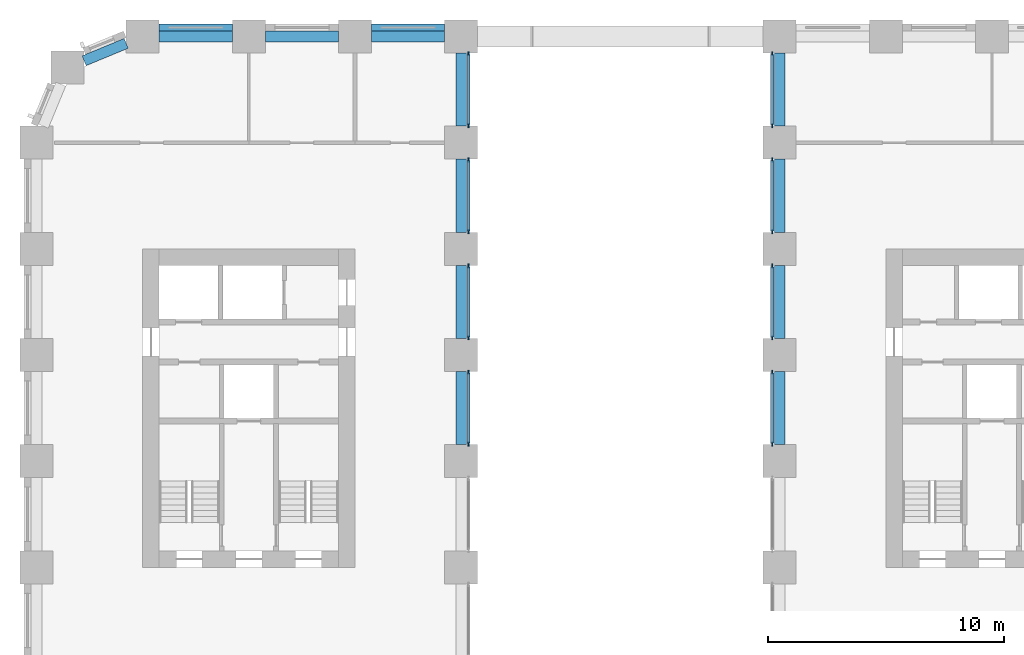
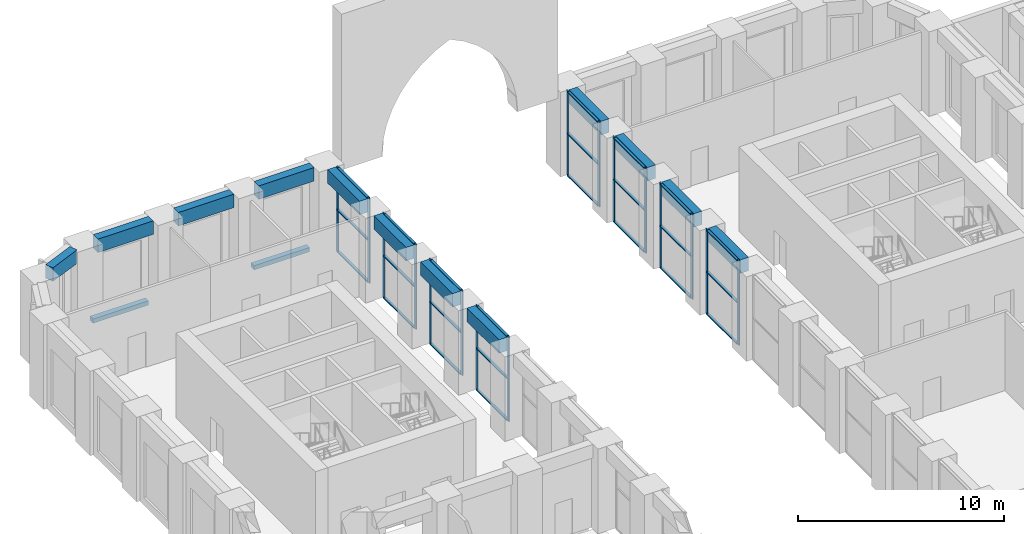
# One storey, part 5 of 25: 40 members, 14 beams, 8 elements without a shape of their own.
"""IFC4 building model written with IfcOpenShell, lengths in metres."""

from ifc_helpers import new_model, si_unit, direction, frame, origin, origin_2d, place, context, subcontext, project, spatial, rectangle, extrude, material, material_profile, profile_set, type_object, element, aggregate, save


model = new_model("IFC4")

# Units and contexts
model_context = context("Model", 3, precision=1e-05, world=origin(), true_north=direction((0.0, 1.0)))
body_context = subcontext(model_context, "Body", "Model", "MODEL_VIEW")
ifc_project = project(units=[si_unit("LENGTHUNIT", "METRE"), si_unit("AREAUNIT", "SQUARE_METRE"), si_unit("VOLUMEUNIT", "CUBIC_METRE"), si_unit("PLANEANGLEUNIT", "RADIAN"), si_unit("MASSUNIT", "GRAM", prefix="KILO")], contexts=[model_context])

# Site, building, storey
site_placement = place(None, origin())
site = spatial("IfcSite", under=ifc_project, at=site_placement, CompositionType="ELEMENT")
building_placement = place(site_placement, origin())
building = spatial("IfcBuilding", under=site, at=building_placement, Name="Girih Gate Residences", CompositionType="ELEMENT")
storey_placement = place(building_placement, frame((0.0, 0.0, 6.0)))
storey = spatial("IfcBuildingStorey", under=building, at=storey_placement, Name="L01", CompositionType="ELEMENT", Elevation=6.0)

# Curtain wall, members
ifc_material_1 = material(Name="Aluminium curtain wall frame", Category="aluminium")
curtain_wall_type = type_object("IfcCurtainWallType", Name="Curtain wall CW-2 podium amenity glazing", PredefinedType="NOTDEFINED", material=ifc_material_1)
curtain_wall_1_placement = place(storey_placement, origin())
curtain_wall_1 = element("IfcCurtainWall", 1, at=curtain_wall_1_placement, inside=storey, type_object=curtain_wall_type, Name="CW-2 Podium amenity glazing E0180_0000.7", PredefinedType="NOTDEFINED")
ifc_material_profile_1 = material_profile(ifc_material_1, rectangle(XDim=0.06005859375, YDim=0.179931640625, at=origin_2d()))
ifc_profile_set_1 = profile_set([ifc_material_profile_1], Name="Aluminium curtain wall frame")
member_type_1 = type_object("IfcMemberType", Name="Curtain wall mullion 60x180", PredefinedType="MULLION", material=ifc_profile_set_1)
member_1_placement = place(storey_placement, frame((18.31494140625, 32.22998046875, 0.0), z_axis=(0.0, 0.0, 1.0), x_axis=(-1.0, 0.0, 0.0)))
member_1 = element("IfcMember", 2, at=member_1_placement, type_object=member_type_1, Name="CW-2 mullion 1", PredefinedType="MULLION", context=body_context, shape_type="SweptSolid", body=[
    extrude(rectangle(XDim=0.06005859375, YDim=0.179931640625, at=origin_2d()), origin(), (0.0, 0.0, 1.0), 5.0),
])
member_2_placement = place(storey_placement, frame((18.31494140625, 35.27001953125, 0.0), z_axis=(0.0, 0.0, 1.0), x_axis=(-1.0, 0.0, 0.0)))
member_2 = element("IfcMember", 3, at=member_2_placement, type_object=member_type_1, Name="CW-2 mullion 2", PredefinedType="MULLION", context=body_context, shape_type="SweptSolid", body=[
    extrude(rectangle(XDim=0.06005859375, YDim=0.179931640625, at=origin_2d()), origin(), (0.0, 0.0, 1.0), 5.0),
])

curtain_wall_2_placement = place(storey_placement, origin())
curtain_wall_2 = element("IfcCurtainWall", 4, at=curtain_wall_2_placement, inside=storey, type_object=curtain_wall_type, Name="CW-2 Podium amenity glazing E0180_0000.8", PredefinedType="NOTDEFINED")
member_3_placement = place(storey_placement, frame((18.31494140625, 36.72998046875, 0.0), z_axis=(0.0, 0.0, 1.0), x_axis=(-1.0, 0.0, 0.0)))
member_3 = element("IfcMember", 5, at=member_3_placement, type_object=member_type_1, Name="CW-2 mullion 1", PredefinedType="MULLION", context=body_context, shape_type="SweptSolid", body=[
    extrude(rectangle(XDim=0.06005859375, YDim=0.179931640625, at=origin_2d()), origin(), (0.0, 0.0, 1.0), 5.0),
])
member_4_placement = place(storey_placement, frame((18.31494140625, 39.77001953125, 0.0), z_axis=(0.0, 0.0, 1.0), x_axis=(-1.0, 0.0, 0.0)))
member_4 = element("IfcMember", 6, at=member_4_placement, type_object=member_type_1, Name="CW-2 mullion 2", PredefinedType="MULLION", context=body_context, shape_type="SweptSolid", body=[
    extrude(rectangle(XDim=0.06005859375, YDim=0.179931640625, at=origin_2d()), origin(), (0.0, 0.0, 1.0), 5.0),
])

curtain_wall_3_placement = place(storey_placement, origin())
curtain_wall_3 = element("IfcCurtainWall", 7, at=curtain_wall_3_placement, inside=storey, type_object=curtain_wall_type, Name="CW-2 Podium amenity glazing E0180_0000.9", PredefinedType="NOTDEFINED")
member_5_placement = place(storey_placement, frame((18.31494140625, 41.22998046875, 0.0), z_axis=(0.0, 0.0, 1.0), x_axis=(-1.0, 0.0, 0.0)))
member_5 = element("IfcMember", 8, at=member_5_placement, type_object=member_type_1, Name="CW-2 mullion 1", PredefinedType="MULLION", context=body_context, shape_type="SweptSolid", body=[
    extrude(rectangle(XDim=0.06005859375, YDim=0.179931640625, at=origin_2d()), origin(), (0.0, 0.0, 1.0), 5.0),
])
member_6_placement = place(storey_placement, frame((18.31494140625, 44.27001953125, 0.0), z_axis=(0.0, 0.0, 1.0), x_axis=(-1.0, 0.0, 0.0)))
member_6 = element("IfcMember", 9, at=member_6_placement, type_object=member_type_1, Name="CW-2 mullion 2", PredefinedType="MULLION", context=body_context, shape_type="SweptSolid", body=[
    extrude(rectangle(XDim=0.06005859375, YDim=0.179931640625, at=origin_2d()), origin(), (0.0, 0.0, 1.0), 5.0),
])

curtain_wall_4_placement = place(storey_placement, origin())
curtain_wall_4 = element("IfcCurtainWall", 10, at=curtain_wall_4_placement, inside=storey, type_object=curtain_wall_type, Name="CW-2 Podium amenity glazing E0180_0000.10", PredefinedType="NOTDEFINED")
member_7_placement = place(storey_placement, frame((18.31494140625, 45.72998046875, 0.0), z_axis=(0.0, 0.0, 1.0), x_axis=(-1.0, 0.0, 0.0)))
member_7 = element("IfcMember", 11, at=member_7_placement, type_object=member_type_1, Name="CW-2 mullion 1", PredefinedType="MULLION", context=body_context, shape_type="SweptSolid", body=[
    extrude(rectangle(XDim=0.06005859375, YDim=0.179931640625, at=origin_2d()), origin(), (0.0, 0.0, 1.0), 5.0),
])
member_8_placement = place(storey_placement, frame((18.31494140625, 48.77001953125, 0.0), z_axis=(0.0, 0.0, 1.0), x_axis=(-1.0, 0.0, 0.0)))
member_8 = element("IfcMember", 12, at=member_8_placement, type_object=member_type_1, Name="CW-2 mullion 2", PredefinedType="MULLION", context=body_context, shape_type="SweptSolid", body=[
    extrude(rectangle(XDim=0.06005859375, YDim=0.179931640625, at=origin_2d()), origin(), (0.0, 0.0, 1.0), 5.0),
])

curtain_wall_5_placement = place(storey_placement, origin())
curtain_wall_5 = element("IfcCurtainWall", 13, at=curtain_wall_5_placement, inside=storey, type_object=curtain_wall_type, Name="CW-2 Podium amenity glazing W0315_0495.0", PredefinedType="NOTDEFINED")
member_9_placement = place(storey_placement, frame((31.18505859375, 48.77001953125, 0.0), z_axis=(0.0, 0.0, 1.0), x_axis=(1.0, 0.0, 0.0)))
member_9 = element("IfcMember", 14, at=member_9_placement, type_object=member_type_1, Name="CW-2 mullion 1", PredefinedType="MULLION", context=body_context, shape_type="SweptSolid", body=[
    extrude(rectangle(XDim=0.06005859375, YDim=0.179931640625, at=origin_2d()), origin(), (0.0, 0.0, 1.0), 5.0),
])
member_10_placement = place(storey_placement, frame((31.18505859375, 45.72998046875, 0.0), z_axis=(0.0, 0.0, 1.0), x_axis=(1.0, 0.0, 0.0)))
member_10 = element("IfcMember", 15, at=member_10_placement, type_object=member_type_1, Name="CW-2 mullion 2", PredefinedType="MULLION", context=body_context, shape_type="SweptSolid", body=[
    extrude(rectangle(XDim=0.06005859375, YDim=0.179931640625, at=origin_2d()), origin(), (0.0, 0.0, 1.0), 5.0),
])

curtain_wall_6_placement = place(storey_placement, origin())
curtain_wall_6 = element("IfcCurtainWall", 16, at=curtain_wall_6_placement, inside=storey, type_object=curtain_wall_type, Name="CW-2 Podium amenity glazing W0315_0495.1", PredefinedType="NOTDEFINED")
member_11_placement = place(storey_placement, frame((31.18505859375, 44.27001953125, 0.0), z_axis=(0.0, 0.0, 1.0), x_axis=(1.0, 0.0, 0.0)))
member_11 = element("IfcMember", 17, at=member_11_placement, type_object=member_type_1, Name="CW-2 mullion 1", PredefinedType="MULLION", context=body_context, shape_type="SweptSolid", body=[
    extrude(rectangle(XDim=0.06005859375, YDim=0.179931640625, at=origin_2d()), origin(), (0.0, 0.0, 1.0), 5.0),
])
member_12_placement = place(storey_placement, frame((31.18505859375, 41.22998046875, 0.0), z_axis=(0.0, 0.0, 1.0), x_axis=(1.0, 0.0, 0.0)))
member_12 = element("IfcMember", 18, at=member_12_placement, type_object=member_type_1, Name="CW-2 mullion 2", PredefinedType="MULLION", context=body_context, shape_type="SweptSolid", body=[
    extrude(rectangle(XDim=0.06005859375, YDim=0.179931640625, at=origin_2d()), origin(), (0.0, 0.0, 1.0), 5.0),
])

curtain_wall_7_placement = place(storey_placement, origin())
curtain_wall_7 = element("IfcCurtainWall", 19, at=curtain_wall_7_placement, inside=storey, type_object=curtain_wall_type, Name="CW-2 Podium amenity glazing W0315_0495.2", PredefinedType="NOTDEFINED")
member_13_placement = place(storey_placement, frame((31.18505859375, 39.77001953125, 0.0), z_axis=(0.0, 0.0, 1.0), x_axis=(1.0, 0.0, 0.0)))
member_13 = element("IfcMember", 20, at=member_13_placement, type_object=member_type_1, Name="CW-2 mullion 1", PredefinedType="MULLION", context=body_context, shape_type="SweptSolid", body=[
    extrude(rectangle(XDim=0.06005859375, YDim=0.179931640625, at=origin_2d()), origin(), (0.0, 0.0, 1.0), 5.0),
])
member_14_placement = place(storey_placement, frame((31.18505859375, 36.72998046875, 0.0), z_axis=(0.0, 0.0, 1.0), x_axis=(1.0, 0.0, 0.0)))
member_14 = element("IfcMember", 21, at=member_14_placement, type_object=member_type_1, Name="CW-2 mullion 2", PredefinedType="MULLION", context=body_context, shape_type="SweptSolid", body=[
    extrude(rectangle(XDim=0.06005859375, YDim=0.179931640625, at=origin_2d()), origin(), (0.0, 0.0, 1.0), 5.0),
])

curtain_wall_8_placement = place(storey_placement, origin())
curtain_wall_8 = element("IfcCurtainWall", 22, at=curtain_wall_8_placement, inside=storey, type_object=curtain_wall_type, Name="CW-2 Podium amenity glazing W0315_0495.3", PredefinedType="NOTDEFINED")
member_15_placement = place(storey_placement, frame((31.18505859375, 35.27001953125, 0.0), z_axis=(0.0, 0.0, 1.0), x_axis=(1.0, 0.0, 0.0)))
member_15 = element("IfcMember", 23, at=member_15_placement, type_object=member_type_1, Name="CW-2 mullion 1", PredefinedType="MULLION", context=body_context, shape_type="SweptSolid", body=[
    extrude(rectangle(XDim=0.06005859375, YDim=0.179931640625, at=origin_2d()), origin(), (0.0, 0.0, 1.0), 5.0),
])
member_16_placement = place(storey_placement, frame((31.18505859375, 32.22998046875, 0.0), z_axis=(0.0, 0.0, 1.0), x_axis=(1.0, 0.0, 0.0)))
member_16 = element("IfcMember", 24, at=member_16_placement, type_object=member_type_1, Name="CW-2 mullion 2", PredefinedType="MULLION", context=body_context, shape_type="SweptSolid", body=[
    extrude(rectangle(XDim=0.06005859375, YDim=0.179931640625, at=origin_2d()), origin(), (0.0, 0.0, 1.0), 5.0),
])

# Member
ifc_material_profile_2 = material_profile(ifc_material_1, rectangle(XDim=0.139892578125, YDim=0.06005859375, at=origin_2d()))
ifc_profile_set_2 = profile_set([ifc_material_profile_2], Name="Aluminium curtain wall frame")
member_type_2 = type_object("IfcMemberType", Name="Curtain wall transom 60x140", PredefinedType="USERDEFINED", material=ifc_profile_set_2)
member_17_placement = place(storey_placement, frame((18.31494140625, 32.260009765625, 0.030029296875), z_axis=(0.0, 1.0, 0.0), x_axis=(-1.0, 0.0, 0.0)))
member_17 = element("IfcMember", 25, at=member_17_placement, type_object=member_type_2, Name="CW-2 transom 1.1", ObjectType="TRANSOM", PredefinedType="USERDEFINED", context=body_context, shape_type="SweptSolid", body=[
    extrude(rectangle(XDim=0.139892578125, YDim=0.06005859375, at=origin_2d()), origin(), (0.0, 0.0, 1.0), 2.97998046875),
])

member_18_placement = place(storey_placement, frame((18.31494140625, 32.260009765625, 2.5), z_axis=(0.0, 1.0, 0.0), x_axis=(-1.0, 0.0, 0.0)))
member_18 = element("IfcMember", 26, at=member_18_placement, type_object=member_type_2, Name="CW-2 transom 1.2", ObjectType="TRANSOM", PredefinedType="USERDEFINED", context=body_context, shape_type="SweptSolid", body=[
    extrude(rectangle(XDim=0.139892578125, YDim=0.06005859375, at=origin_2d()), origin(), (0.0, 0.0, 1.0), 2.97998046875),
])

member_19_placement = place(storey_placement, frame((18.31494140625, 32.260009765625, 4.969970703125), z_axis=(0.0, 1.0, 0.0), x_axis=(-1.0, 0.0, 0.0)))
member_19 = element("IfcMember", 27, at=member_19_placement, type_object=member_type_2, Name="CW-2 transom 1.3", ObjectType="TRANSOM", PredefinedType="USERDEFINED", context=body_context, shape_type="SweptSolid", body=[
    extrude(rectangle(XDim=0.139892578125, YDim=0.06005859375, at=origin_2d()), origin(), (0.0, 0.0, 1.0), 2.97998046875),
])

aggregate(curtain_wall_1, [member_1, member_2, member_17, member_18, member_19])

member_20_placement = place(storey_placement, frame((18.31494140625, 36.760009765625, 0.030029296875), z_axis=(0.0, 1.0, 0.0), x_axis=(-1.0, 0.0, 0.0)))
member_20 = element("IfcMember", 28, at=member_20_placement, type_object=member_type_2, Name="CW-2 transom 1.1", ObjectType="TRANSOM", PredefinedType="USERDEFINED", context=body_context, shape_type="SweptSolid", body=[
    extrude(rectangle(XDim=0.139892578125, YDim=0.06005859375, at=origin_2d()), origin(), (0.0, 0.0, 1.0), 2.97998046875),
])

member_21_placement = place(storey_placement, frame((18.31494140625, 36.760009765625, 2.5), z_axis=(0.0, 1.0, 0.0), x_axis=(-1.0, 0.0, 0.0)))
member_21 = element("IfcMember", 29, at=member_21_placement, type_object=member_type_2, Name="CW-2 transom 1.2", ObjectType="TRANSOM", PredefinedType="USERDEFINED", context=body_context, shape_type="SweptSolid", body=[
    extrude(rectangle(XDim=0.139892578125, YDim=0.06005859375, at=origin_2d()), origin(), (0.0, 0.0, 1.0), 2.97998046875),
])

member_22_placement = place(storey_placement, frame((18.31494140625, 36.760009765625, 4.969970703125), z_axis=(0.0, 1.0, 0.0), x_axis=(-1.0, 0.0, 0.0)))
member_22 = element("IfcMember", 30, at=member_22_placement, type_object=member_type_2, Name="CW-2 transom 1.3", ObjectType="TRANSOM", PredefinedType="USERDEFINED", context=body_context, shape_type="SweptSolid", body=[
    extrude(rectangle(XDim=0.139892578125, YDim=0.06005859375, at=origin_2d()), origin(), (0.0, 0.0, 1.0), 2.97998046875),
])

aggregate(curtain_wall_2, [member_3, member_4, member_20, member_21, member_22])

member_23_placement = place(storey_placement, frame((18.31494140625, 41.260009765625, 0.030029296875), z_axis=(0.0, 1.0, 0.0), x_axis=(-1.0, 0.0, 0.0)))
member_23 = element("IfcMember", 31, at=member_23_placement, type_object=member_type_2, Name="CW-2 transom 1.1", ObjectType="TRANSOM", PredefinedType="USERDEFINED", context=body_context, shape_type="SweptSolid", body=[
    extrude(rectangle(XDim=0.139892578125, YDim=0.06005859375, at=origin_2d()), origin(), (0.0, 0.0, 1.0), 2.97998046875),
])

member_24_placement = place(storey_placement, frame((18.31494140625, 41.260009765625, 2.5), z_axis=(0.0, 1.0, 0.0), x_axis=(-1.0, 0.0, 0.0)))
member_24 = element("IfcMember", 32, at=member_24_placement, type_object=member_type_2, Name="CW-2 transom 1.2", ObjectType="TRANSOM", PredefinedType="USERDEFINED", context=body_context, shape_type="SweptSolid", body=[
    extrude(rectangle(XDim=0.139892578125, YDim=0.06005859375, at=origin_2d()), origin(), (0.0, 0.0, 1.0), 2.97998046875),
])

member_25_placement = place(storey_placement, frame((18.31494140625, 41.260009765625, 4.969970703125), z_axis=(0.0, 1.0, 0.0), x_axis=(-1.0, 0.0, 0.0)))
member_25 = element("IfcMember", 33, at=member_25_placement, type_object=member_type_2, Name="CW-2 transom 1.3", ObjectType="TRANSOM", PredefinedType="USERDEFINED", context=body_context, shape_type="SweptSolid", body=[
    extrude(rectangle(XDim=0.139892578125, YDim=0.06005859375, at=origin_2d()), origin(), (0.0, 0.0, 1.0), 2.97998046875),
])

aggregate(curtain_wall_3, [member_5, member_6, member_23, member_24, member_25])

member_26_placement = place(storey_placement, frame((18.31494140625, 45.760009765625, 0.030029296875), z_axis=(0.0, 1.0, 0.0), x_axis=(-1.0, 0.0, 0.0)))
member_26 = element("IfcMember", 34, at=member_26_placement, type_object=member_type_2, Name="CW-2 transom 1.1", ObjectType="TRANSOM", PredefinedType="USERDEFINED", context=body_context, shape_type="SweptSolid", body=[
    extrude(rectangle(XDim=0.139892578125, YDim=0.06005859375, at=origin_2d()), origin(), (0.0, 0.0, 1.0), 2.97998046875),
])

member_27_placement = place(storey_placement, frame((18.31494140625, 45.760009765625, 2.5), z_axis=(0.0, 1.0, 0.0), x_axis=(-1.0, 0.0, 0.0)))
member_27 = element("IfcMember", 35, at=member_27_placement, type_object=member_type_2, Name="CW-2 transom 1.2", ObjectType="TRANSOM", PredefinedType="USERDEFINED", context=body_context, shape_type="SweptSolid", body=[
    extrude(rectangle(XDim=0.139892578125, YDim=0.06005859375, at=origin_2d()), origin(), (0.0, 0.0, 1.0), 2.97998046875),
])

member_28_placement = place(storey_placement, frame((18.31494140625, 45.760009765625, 4.969970703125), z_axis=(0.0, 1.0, 0.0), x_axis=(-1.0, 0.0, 0.0)))
member_28 = element("IfcMember", 36, at=member_28_placement, type_object=member_type_2, Name="CW-2 transom 1.3", ObjectType="TRANSOM", PredefinedType="USERDEFINED", context=body_context, shape_type="SweptSolid", body=[
    extrude(rectangle(XDim=0.139892578125, YDim=0.06005859375, at=origin_2d()), origin(), (0.0, 0.0, 1.0), 2.97998046875),
])

aggregate(curtain_wall_4, [member_7, member_8, member_26, member_27, member_28])

member_29_placement = place(storey_placement, frame((31.18505859375, 48.739990234375, 0.030029296875), z_axis=(0.0, -1.0, 0.0), x_axis=(1.0, 0.0, 0.0)))
member_29 = element("IfcMember", 37, at=member_29_placement, type_object=member_type_2, Name="CW-2 transom 1.1", ObjectType="TRANSOM", PredefinedType="USERDEFINED", context=body_context, shape_type="SweptSolid", body=[
    extrude(rectangle(XDim=0.139892578125, YDim=0.06005859375, at=origin_2d()), origin(), (0.0, 0.0, 1.0), 2.97998046875),
])

member_30_placement = place(storey_placement, frame((31.18505859375, 48.739990234375, 2.5), z_axis=(0.0, -1.0, 0.0), x_axis=(1.0, 0.0, 0.0)))
member_30 = element("IfcMember", 38, at=member_30_placement, type_object=member_type_2, Name="CW-2 transom 1.2", ObjectType="TRANSOM", PredefinedType="USERDEFINED", context=body_context, shape_type="SweptSolid", body=[
    extrude(rectangle(XDim=0.139892578125, YDim=0.06005859375, at=origin_2d()), origin(), (0.0, 0.0, 1.0), 2.97998046875),
])

member_31_placement = place(storey_placement, frame((31.18505859375, 48.739990234375, 4.969970703125), z_axis=(0.0, -1.0, 0.0), x_axis=(1.0, 0.0, 0.0)))
member_31 = element("IfcMember", 39, at=member_31_placement, type_object=member_type_2, Name="CW-2 transom 1.3", ObjectType="TRANSOM", PredefinedType="USERDEFINED", context=body_context, shape_type="SweptSolid", body=[
    extrude(rectangle(XDim=0.139892578125, YDim=0.06005859375, at=origin_2d()), origin(), (0.0, 0.0, 1.0), 2.97998046875),
])

aggregate(curtain_wall_5, [member_9, member_10, member_29, member_30, member_31])

member_32_placement = place(storey_placement, frame((31.18505859375, 44.239990234375, 0.030029296875), z_axis=(0.0, -1.0, 0.0), x_axis=(1.0, 0.0, 0.0)))
member_32 = element("IfcMember", 40, at=member_32_placement, type_object=member_type_2, Name="CW-2 transom 1.1", ObjectType="TRANSOM", PredefinedType="USERDEFINED", context=body_context, shape_type="SweptSolid", body=[
    extrude(rectangle(XDim=0.139892578125, YDim=0.06005859375, at=origin_2d()), origin(), (0.0, 0.0, 1.0), 2.97998046875),
])

member_33_placement = place(storey_placement, frame((31.18505859375, 44.239990234375, 2.5), z_axis=(0.0, -1.0, 0.0), x_axis=(1.0, 0.0, 0.0)))
member_33 = element("IfcMember", 41, at=member_33_placement, type_object=member_type_2, Name="CW-2 transom 1.2", ObjectType="TRANSOM", PredefinedType="USERDEFINED", context=body_context, shape_type="SweptSolid", body=[
    extrude(rectangle(XDim=0.139892578125, YDim=0.06005859375, at=origin_2d()), origin(), (0.0, 0.0, 1.0), 2.97998046875),
])

member_34_placement = place(storey_placement, frame((31.18505859375, 44.239990234375, 4.969970703125), z_axis=(0.0, -1.0, 0.0), x_axis=(1.0, 0.0, 0.0)))
member_34 = element("IfcMember", 42, at=member_34_placement, type_object=member_type_2, Name="CW-2 transom 1.3", ObjectType="TRANSOM", PredefinedType="USERDEFINED", context=body_context, shape_type="SweptSolid", body=[
    extrude(rectangle(XDim=0.139892578125, YDim=0.06005859375, at=origin_2d()), origin(), (0.0, 0.0, 1.0), 2.97998046875),
])

aggregate(curtain_wall_6, [member_11, member_12, member_32, member_33, member_34])

member_35_placement = place(storey_placement, frame((31.18505859375, 39.739990234375, 0.030029296875), z_axis=(0.0, -1.0, 0.0), x_axis=(1.0, 0.0, 0.0)))
member_35 = element("IfcMember", 43, at=member_35_placement, type_object=member_type_2, Name="CW-2 transom 1.1", ObjectType="TRANSOM", PredefinedType="USERDEFINED", context=body_context, shape_type="SweptSolid", body=[
    extrude(rectangle(XDim=0.139892578125, YDim=0.06005859375, at=origin_2d()), origin(), (0.0, 0.0, 1.0), 2.97998046875),
])

member_36_placement = place(storey_placement, frame((31.18505859375, 39.739990234375, 2.5), z_axis=(0.0, -1.0, 0.0), x_axis=(1.0, 0.0, 0.0)))
member_36 = element("IfcMember", 44, at=member_36_placement, type_object=member_type_2, Name="CW-2 transom 1.2", ObjectType="TRANSOM", PredefinedType="USERDEFINED", context=body_context, shape_type="SweptSolid", body=[
    extrude(rectangle(XDim=0.139892578125, YDim=0.06005859375, at=origin_2d()), origin(), (0.0, 0.0, 1.0), 2.97998046875),
])

member_37_placement = place(storey_placement, frame((31.18505859375, 39.739990234375, 4.969970703125), z_axis=(0.0, -1.0, 0.0), x_axis=(1.0, 0.0, 0.0)))
member_37 = element("IfcMember", 45, at=member_37_placement, type_object=member_type_2, Name="CW-2 transom 1.3", ObjectType="TRANSOM", PredefinedType="USERDEFINED", context=body_context, shape_type="SweptSolid", body=[
    extrude(rectangle(XDim=0.139892578125, YDim=0.06005859375, at=origin_2d()), origin(), (0.0, 0.0, 1.0), 2.97998046875),
])

aggregate(curtain_wall_7, [member_13, member_14, member_35, member_36, member_37])

member_38_placement = place(storey_placement, frame((31.18505859375, 35.239990234375, 0.030029296875), z_axis=(0.0, -1.0, 0.0), x_axis=(1.0, 0.0, 0.0)))
member_38 = element("IfcMember", 46, at=member_38_placement, type_object=member_type_2, Name="CW-2 transom 1.1", ObjectType="TRANSOM", PredefinedType="USERDEFINED", context=body_context, shape_type="SweptSolid", body=[
    extrude(rectangle(XDim=0.139892578125, YDim=0.06005859375, at=origin_2d()), origin(), (0.0, 0.0, 1.0), 2.97998046875),
])

member_39_placement = place(storey_placement, frame((31.18505859375, 35.239990234375, 2.5), z_axis=(0.0, -1.0, 0.0), x_axis=(1.0, 0.0, 0.0)))
member_39 = element("IfcMember", 47, at=member_39_placement, type_object=member_type_2, Name="CW-2 transom 1.2", ObjectType="TRANSOM", PredefinedType="USERDEFINED", context=body_context, shape_type="SweptSolid", body=[
    extrude(rectangle(XDim=0.139892578125, YDim=0.06005859375, at=origin_2d()), origin(), (0.0, 0.0, 1.0), 2.97998046875),
])

member_40_placement = place(storey_placement, frame((31.18505859375, 35.239990234375, 4.969970703125), z_axis=(0.0, -1.0, 0.0), x_axis=(1.0, 0.0, 0.0)))
member_40 = element("IfcMember", 48, at=member_40_placement, type_object=member_type_2, Name="CW-2 transom 1.3", ObjectType="TRANSOM", PredefinedType="USERDEFINED", context=body_context, shape_type="SweptSolid", body=[
    extrude(rectangle(XDim=0.139892578125, YDim=0.06005859375, at=origin_2d()), origin(), (0.0, 0.0, 1.0), 2.97998046875),
])

aggregate(curtain_wall_8, [member_15, member_16, member_38, member_39, member_40])

# Beams
ifc_material_2 = material(Name="Concrete C50/60", Category="concrete")
ifc_material_profile_3 = material_profile(ifc_material_2, rectangle(XDim=0.300048828125, YDim=0.25, at=origin_2d()))
ifc_profile_set_3 = profile_set([ifc_material_profile_3], Name="Concrete C50/60")
beam_type_1 = type_object("IfcBeamType", Name="Facade ledge RC 300x250 Concrete C50/60", PredefinedType="BEAM", material=ifc_profile_set_3)
for number, where, z_axis, x_axis, name in (
    (49, (17.300048828125, 49.875, -0.125), (-1.0, 0.0, 0.0), (0.0, -1.0, 0.0), "Facade ledge N0180_0495.0 L01"),
    (50, (8.300048828125, 49.875, -0.125), (-1.0, 0.0, 0.0), (0.0, -1.0, 0.0), "Facade ledge N0180_0495.2 L01"),
):
    element("IfcBeam", number, at=place(storey_placement, frame(where, z_axis=z_axis, x_axis=x_axis)), inside=storey, type_object=beam_type_1, Name=name, PredefinedType="BEAM", context=body_context, shape_type="SweptSolid", body=[
        extrude(rectangle(XDim=0.300048828125, YDim=0.25, at=origin_2d()), origin(), (0.0, 0.0, 1.0), 3.10009765625),
    ])
ifc_material_3 = material(Name="Concrete C60/75", Category="concrete")
ifc_material_profile_4 = material_profile(ifc_material_3, rectangle(XDim=0.449951171875, YDim=0.800048828125, at=origin_2d()))
ifc_profile_set_4 = profile_set([ifc_material_profile_4], Name="Concrete C60/75")
beam_type_2 = type_object("IfcBeamType", Name="Spandrel girder RC 450x800 Concrete C60/75", PredefinedType="BEAM", material=ifc_profile_set_4)
for number, where, z_axis, x_axis, name in (
    (51, (17.300048828125, 49.5, 4.60009765625), (-1.0, 0.0, 0.0), (0.0, -1.0, 0.0), "Spandrel girder SP-P5L-P4L L01"),
    (52, (12.800048828125, 49.5, 4.60009765625), (-1.0, 0.0, 0.0), (0.0, -1.0, 0.0), "Spandrel girder SP-P4L-P3L L01"),
    (53, (8.300048828125, 49.5, 4.60009765625), (-1.0, 0.0, 0.0), (0.0, -1.0, 0.0), "Spandrel girder SP-P3L-P2L L01"),
):
    element("IfcBeam", number, at=place(storey_placement, frame(where, z_axis=z_axis, x_axis=x_axis)), inside=storey, type_object=beam_type_2, Name=name, PredefinedType="BEAM", context=body_context, shape_type="SweptSolid", body=[
        extrude(rectangle(XDim=0.449951171875, YDim=0.800048828125, at=origin_2d()), origin(), (0.0, 0.0, 1.0), 3.10009765625),
    ])
beam_placement = place(storey_placement, frame((3.800048828125, 49.2099609375, 4.60009765625), z_axis=(-0.923894961945, -0.382646180293, 0.0), x_axis=(0.382646180293, -0.923894961945, 0.0)))
element("IfcBeam", 54, at=beam_placement, inside=storey, type_object=beam_type_2, Name="Spandrel girder SP-P2L-P1LSE L01", PredefinedType="BEAM", context=body_context, shape_type="SweptSolid", body=[
    extrude(rectangle(XDim=0.449951171875, YDim=0.800048828125, at=origin_2d()), origin(), (0.0, 0.0, 1.0), 1.9287109375),
])
for number, where, z_axis, x_axis, name in (
    (55, (18.0, 32.199951171875, 4.60009765625), (0.0, 1.0, 0.0), (-1.0, 0.0, 0.0), "Spandrel girder SP-P5H-P5I L01"),
    (56, (18.0, 36.699951171875, 4.60009765625), (0.0, 1.0, 0.0), (-1.0, 0.0, 0.0), "Spandrel girder SP-P5I-P5J L01"),
    (57, (18.0, 41.199951171875, 4.60009765625), (0.0, 1.0, 0.0), (-1.0, 0.0, 0.0), "Spandrel girder SP-P5J-P5K L01"),
    (58, (18.0, 45.699951171875, 4.60009765625), (0.0, 1.0, 0.0), (-1.0, 0.0, 0.0), "Spandrel girder SP-P5K-P5L L01"),
    (59, (31.5, 48.800048828125, 4.60009765625), (0.0, -1.0, 0.0), (1.0, 0.0, 0.0), "Spandrel girder SP-P8L-P8K L01"),
    (60, (31.5, 44.300048828125, 4.60009765625), (0.0, -1.0, 0.0), (1.0, 0.0, 0.0), "Spandrel girder SP-P8K-P8J L01"),
    (61, (31.5, 39.800048828125, 4.60009765625), (0.0, -1.0, 0.0), (1.0, 0.0, 0.0), "Spandrel girder SP-P8J-P8I L01"),
    (62, (31.5, 35.300048828125, 4.60009765625), (0.0, -1.0, 0.0), (1.0, 0.0, 0.0), "Spandrel girder SP-P8I-P8H L01"),
):
    element("IfcBeam", number, at=place(storey_placement, frame(where, z_axis=z_axis, x_axis=x_axis)), inside=storey, type_object=beam_type_2, Name=name, PredefinedType="BEAM", context=body_context, shape_type="SweptSolid", body=[
        extrude(rectangle(XDim=0.449951171875, YDim=0.800048828125, at=origin_2d()), origin(), (0.0, 0.0, 1.0), 3.10009765625),
    ])

save(model, "model.ifc")
